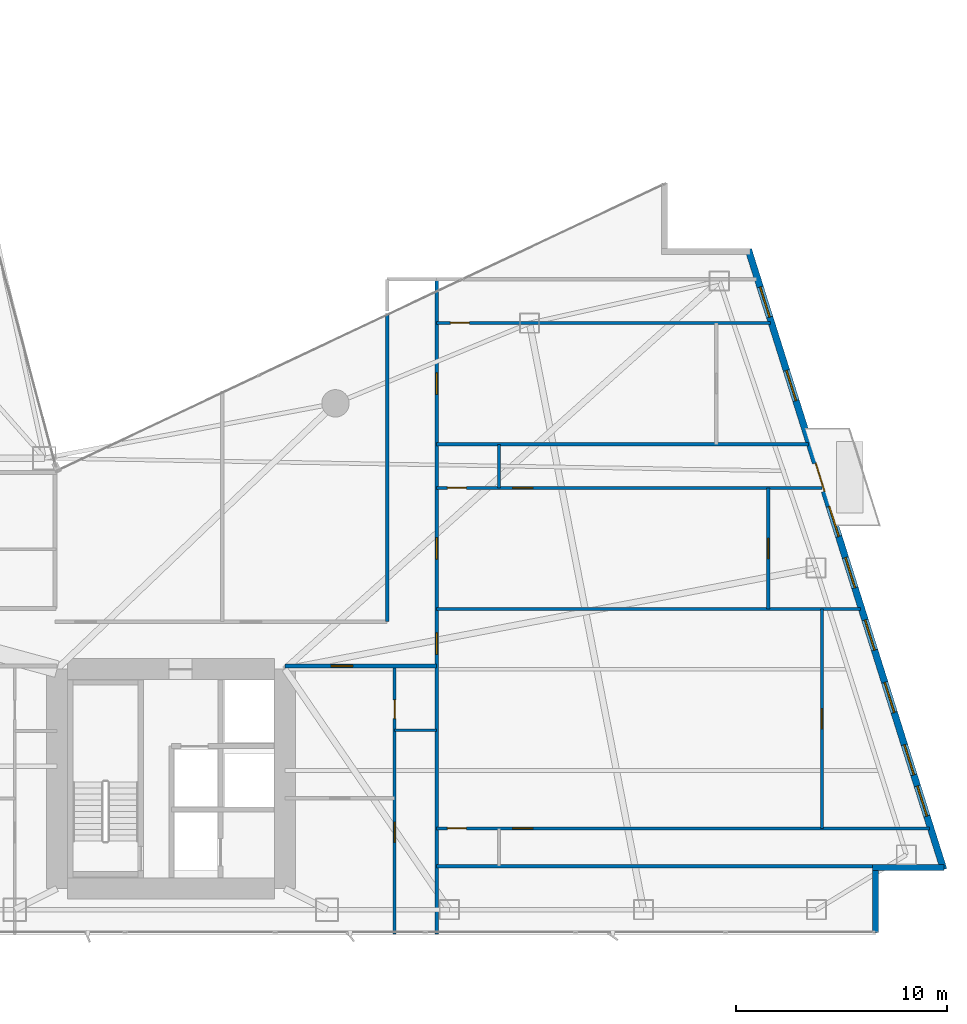
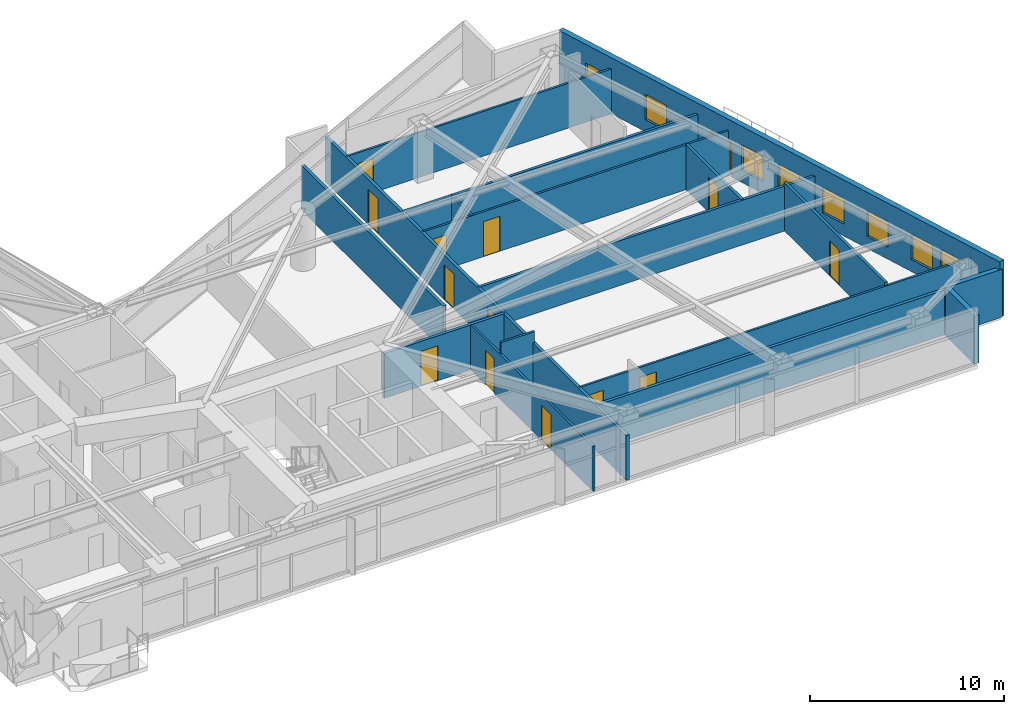
# One storey, part 23 of 28: 17 walls, 14 doors, 8 windows, 22 openings.
"""IFC4 building model written with IfcOpenShell, lengths in metres."""

import ifcopenshell
import ifcopenshell.guid

model = None  # the IFC model being written
_history = None  # IfcOwnerHistory: only IFC2X3 demands one
_inside = {}  # id of a spatial element -> (the spatial element, [elements in it])
_under = {}  # id of a project, library or spatial element -> (it, [spatial elements below it])
_declared = {}  # id of a project -> (the project, [libraries it declares])
_typed = {}  # id of a type object -> (the type object, [elements of that type])
_made_of = {}  # id of a material, layer set ... -> (it, [elements and type objects made of it])


def new_model(schema):
    """Start an empty IFC model of exactly this schema.

    Asked for "IFC4X3", IfcOpenShell would pick the latest addendum, in which some entities
    have other attributes; the version numbers below select the first issue.
    IFC2X3 requires an IfcOwnerHistory on every rooted entity: one is made here for all.
    """
    global model, _history
    if schema == "IFC4X3":
        model = ifcopenshell.file(schema_version=(4, 3, 0, 0))
    else:
        model = ifcopenshell.file(schema=schema)
    _inside.clear()
    _under.clear()
    _declared.clear()
    _typed.clear()
    _made_of.clear()
    _history = None
    if model.schema == "IFC2X3":
        org = make("IfcOrganization", Name="unknown")
        user = make(
            "IfcPersonAndOrganization",
            ThePerson=make("IfcPerson", FamilyName="unknown"),
            TheOrganization=org,
        )
        app = make(
            "IfcApplication",
            ApplicationDeveloper=org,
            Version="unknown",
            ApplicationFullName="unknown",
            ApplicationIdentifier="unknown",
        )
        _history = make(
            "IfcOwnerHistory",
            OwningUser=user,
            OwningApplication=app,
            ChangeAction="ADDED",
            CreationDate=0,
        )
    return model


def make(cls, **values):
    """One entity of the class cls with the attributes given. An attribute that is None is left unset."""
    return model.create_entity(
        cls, **{name: value for name, value in values.items() if value is not None}
    )


def rooted(cls, **values):
    """An entity with a GlobalId (a new one), such as an element, a storey or a relation."""
    return make(cls, GlobalId=ifcopenshell.guid.new(), OwnerHistory=_history, **values)


def si_unit(unit_type, name, prefix=None):
    """IfcSIUnit, for example si_unit("LENGTHUNIT", "METRE", prefix="MILLI")."""
    return make("IfcSIUnit", UnitType=unit_type, Prefix=prefix, Name=name)


def assignment(units):
    """IfcUnitAssignment: the units of a project."""
    return None if units is None else make("IfcUnitAssignment", Units=units)


def point(xyz):
    """IfcCartesianPoint."""
    return None if xyz is None else make("IfcCartesianPoint", Coordinates=xyz)


def direction(xyz):
    """IfcDirection."""
    return None if xyz is None else make("IfcDirection", DirectionRatios=xyz)


def frame(location, z_axis=None, x_axis=None):
    """IfcAxis2Placement3D, a coordinate frame: its origin and axes. An axis left out is left unset."""
    return make(
        "IfcAxis2Placement3D",
        Location=point(location),
        Axis=direction(z_axis),
        RefDirection=direction(x_axis),
    )


def frame_2d(location, x_axis=None):
    """IfcAxis2Placement2D, a coordinate frame in the plane: its origin and x axis."""
    return make(
        "IfcAxis2Placement2D", Location=point(location), RefDirection=direction(x_axis)
    )


def origin():
    """The frame at (0, 0, 0) with its axes left unset."""
    return frame((0.0, 0.0, 0.0))


def place(relative_to, where):
    """IfcLocalPlacement: puts the frame where relative to a parent placement (None: the world)."""
    return make(
        "IfcLocalPlacement", PlacementRelTo=relative_to, RelativePlacement=where
    )


def context(
    kind, dimensions, precision=None, world=None, true_north=None, identifier=None
):
    """IfcGeometricRepresentationContext, for example the 3D "Model" context."""
    return make(
        "IfcGeometricRepresentationContext",
        ContextIdentifier=identifier,
        ContextType=kind,
        CoordinateSpaceDimension=dimensions,
        Precision=precision,
        WorldCoordinateSystem=world,
        TrueNorth=true_north,
    )


def subcontext(parent, identifier, kind, view, scale=None):
    """IfcGeometricRepresentationSubContext, for example "Body" below "Model"."""
    return make(
        "IfcGeometricRepresentationSubContext",
        ContextIdentifier=identifier,
        ContextType=kind,
        ParentContext=parent,
        TargetScale=scale,
        TargetView=view,
    )


def project(units=None, contexts=None):
    """IfcProject with its units and contexts."""
    return rooted(
        "IfcProject",
        Name="project",
        RepresentationContexts=contexts,
        UnitsInContext=assignment(units),
    )


def spatial(cls, under=None, at=None, **own):
    """A site, building, storey or space (cls), placed at a placement, below another one or the project."""
    s = rooted(cls, ObjectPlacement=at, **own)
    if under is not None:
        _under.setdefault(under.id(), (under, []))[1].append(s)
    return s


def profile(cls, at=None, kind="AREA", **sizes):
    """A parametric profile (cls). Its sizes go by their IFC names, for example OverallWidth=200.0."""
    return make(cls, ProfileType=kind, Position=at, **sizes)


def rectangle(**sizes):
    """IfcRectangleProfileDef."""
    return profile("IfcRectangleProfileDef", **sizes)


def extrude(swept, where, along, depth):
    """IfcExtrudedAreaSolid: the profile swept, set in the frame where, extruded along a direction by depth."""
    return make(
        "IfcExtrudedAreaSolid",
        SweptArea=swept,
        Position=where,
        ExtrudedDirection=direction(along),
        Depth=depth,
    )


def shape(context_of_items, identifier, shape_type, items):
    """IfcShapeRepresentation: the items that make up one representation, for example the "Body"."""
    return make(
        "IfcShapeRepresentation",
        ContextOfItems=context_of_items,
        RepresentationIdentifier=identifier,
        RepresentationType=shape_type,
        Items=items,
    )


def material(Name=None, Category=None):
    """IfcMaterial."""
    return make("IfcMaterial", Name=Name, Category=Category)


def layer(
    of_material, thickness, ventilated=None, Name=None, Category=None, Priority=None
):
    """IfcMaterialLayer: one layer of a wall or slab, of a material (None: an air gap)."""
    return make(
        "IfcMaterialLayer",
        Material=of_material,
        LayerThickness=thickness,
        IsVentilated=ventilated,
        Name=Name,
        Category=Category,
        Priority=Priority,
    )


def layer_set(layers, Name=None):
    """IfcMaterialLayerSet."""
    return make("IfcMaterialLayerSet", MaterialLayers=layers, LayerSetName=Name)


def made_of(thing, what):
    """Note that an element or type object is made of a material, layer set ...; save() writes the relation."""
    if what is not None:
        _made_of.setdefault(what.id(), (what, []))[1].append(thing)
    return thing


def type_object(cls, material=None, **own):
    """A type object (cls), such as IfcWallType, which elements share."""
    return made_of(rooted(cls, **own), material)


def element(
    cls,
    number,
    at=None,
    inside=None,
    cuts=None,
    type_object=None,
    material=None,
    context=None,
    identifier="Body",
    shape_type=None,
    held_by="IfcProductDefinitionShape",
    body=None,
    shapes=None,
    **own,
):
    """One element of the class cls, such as IfcWall. Its Tag is "e" and its number.

    at: its placement. inside: the storey or other place that contains it. cuts: it is an
    opening in that element (IfcRelVoidsElement). A single representation is given by context,
    identifier, shape_type and body (its items); several are given by shapes. held_by: the class
    of the entity that holds the representations. save() writes the other relations.
    """
    e = rooted(cls, Tag="e%d" % number, ObjectPlacement=at, **own)
    if body is not None:
        shapes = [shape(context, identifier, shape_type, body)]
    if shapes is not None:
        e.Representation = make(held_by, Representations=shapes)
    if inside is not None:
        _inside.setdefault(inside.id(), (inside, []))[1].append(e)
    if cuts is not None:
        rooted(
            "IfcRelVoidsElement", RelatingBuildingElement=cuts, RelatedOpeningElement=e
        )
    if type_object is not None:
        _typed.setdefault(type_object.id(), (type_object, []))[1].append(e)
    return made_of(e, material)


def fill(opening, filler):
    """IfcRelFillsElement: the door or window that sits in an opening."""
    return rooted(
        "IfcRelFillsElement",
        RelatingOpeningElement=opening,
        RelatedBuildingElement=filler,
    )


def aggregate(whole, parts):
    """IfcRelAggregates: a whole, such as a stair, and the parts it consists of."""
    return rooted("IfcRelAggregates", RelatingObject=whole, RelatedObjects=parts)


def save(model, path):
    """Write the relations noted so far, then the file.

    IfcRelAggregates (storeys below a building ...), IfcRelContainedInSpatialStructure (elements
    in a storey), IfcRelDefinesByType, IfcRelAssociatesMaterial and IfcRelDeclares: one each for
    every whole, place, type object, material and project.
    """
    for whole, parts in _under.values():
        aggregate(whole, parts)
    for where, things in _inside.values():
        rooted(
            "IfcRelContainedInSpatialStructure",
            RelatedElements=things,
            RelatingStructure=where,
        )
    for kind, things in _typed.values():
        rooted("IfcRelDefinesByType", RelatedObjects=things, RelatingType=kind)
    for what, things in _made_of.values():
        rooted("IfcRelAssociatesMaterial", RelatedObjects=things, RelatingMaterial=what)
    for by, libraries in _declared.values():
        rooted("IfcRelDeclares", RelatingContext=by, RelatedDefinitions=libraries)
    model.write(path)


model = new_model("IFC4")

# Units and contexts
model_context = context("Model", 3, precision=1e-05, world=origin(), true_north=direction((0.0, 1.0)))
body_context = subcontext(model_context, "Body", "Model", "MODEL_VIEW")
ifc_project = project(units=[si_unit("LENGTHUNIT", "METRE"), si_unit("AREAUNIT", "SQUARE_METRE"), si_unit("VOLUMEUNIT", "CUBIC_METRE"), si_unit("PLANEANGLEUNIT", "RADIAN"), si_unit("MASSUNIT", "GRAM", prefix="KILO")], contexts=[model_context])

# Site, building, storey
site_placement = place(None, origin())
site = spatial("IfcSite", under=ifc_project, at=site_placement, CompositionType="ELEMENT")
building_placement = place(site_placement, origin())
building = spatial("IfcBuilding", under=site, at=building_placement, Name="Calvorn Quay Hotel", CompositionType="ELEMENT")
storey_placement = place(building_placement, frame((0.0, 0.0, 42.199951171875)))
storey = spatial("IfcBuildingStorey", under=building, at=storey_placement, Name="L09", CompositionType="ELEMENT", Elevation=42.199951171875)

# Wall, opening, door
ifc_material_1 = material(Name="Acoustic Fireboard Steel-Stud Partition", Category="steel")
ifc_layer_1 = layer(ifc_material_1, 0.179931640625)
ifc_layer_set_1 = layer_set([ifc_layer_1], Name="WL-CORR-FIRE-180")
wall_type_1 = type_object("IfcWallType", Name="WL-CORR-FIRE-180", PredefinedType="PARTITIONING", material=ifc_layer_set_1)
wall_1_placement = place(storey_placement, frame((32.39990234375, 15.14990234375, 0.0), z_axis=(0.0, 0.0, 1.0), x_axis=(1.0, 0.0, 0.0)))
wall_1 = element("IfcWall", 1, at=wall_1_placement, inside=storey, type_object=wall_type_1, Name="Partition Wall L09-WL-CORR-SE-S", PredefinedType="PARTITIONING", context=body_context, shape_type="SweptSolid", body=[
    extrude(rectangle(XDim=7.2001953125, YDim=0.179931640625, at=frame_2d((3.60009765625, 0.0))), origin(), (0.0, 0.0, 1.0), 2.820068359375),
])
opening_1_placement = place(wall_1_placement, frame((2.18994140625, 0.0, 0.0)))
opening_1 = element("IfcOpeningElement", 2, at=opening_1_placement, cuts=wall_1, Name="Opening D-L09-U06", PredefinedType="OPENING", context=body_context, shape_type="SweptSolid", body=[
    extrude(rectangle(XDim=1.02001953125, YDim=2.199951171875, at=frame_2d((0.510009765625, 1.10009765625))), frame((0.0, 0.099853515625, 0.0), z_axis=(0.0, -1.0, 0.0), x_axis=(1.0, 0.0, 0.0)), (0.0, 0.0, 1.0), 0.199951171875),
])
ifc_material_2 = material(Name="Solid-Core Walnut Veneer Hotel Fire Door")
door_type_1 = type_object("IfcDoorType", Name="DR-GUEST-ENTRY-1020", OperationType="NOTDEFINED", PredefinedType="DOOR", material=ifc_material_2)
door_1_placement = place(opening_1_placement, origin())
door_1 = element("IfcDoor", 3, at=door_1_placement, inside=storey, type_object=door_type_1, Name="South-East Unit Door U06 (L09)", OperationType="SINGLE_SWING_LEFT", OverallHeight=2.199951171875, OverallWidth=1.02001953125, PredefinedType="DOOR", context=body_context, shape_type="SweptSolid", body=[
    extrude(rectangle(XDim=1.02001953125, YDim=2.199951171875, at=frame_2d((0.510009765625, 1.10009765625))), frame((0.0, 0.02490234375, 0.0), z_axis=(0.0, -1.0, 0.0), x_axis=(1.0, 0.0, 0.0)), (0.0, 0.0, 1.0), 0.050048828125),
])
fill(opening_1, door_1)

# Walls
wall_2_placement = place(storey_placement, frame((37.25, 17.25, 0.0), z_axis=(0.0, 0.0, 1.0), x_axis=(0.0, 1.0, 0.0)))
element("IfcWall", 4, at=wall_2_placement, inside=storey, type_object=wall_type_1, Name="Partition Wall L09-WL-NE-END-E", PredefinedType="PARTITIONING", context=body_context, shape_type="SweptSolid", body=[
    extrude(rectangle(XDim=14.6201171875, YDim=0.179931640625, at=frame_2d((7.31005859375, 0.0))), origin(), (0.0, 0.0, 1.0), 2.820068359375),
])
wall_3_placement = place(storey_placement, frame((39.60009765625, 5.659912109375, 0.0), z_axis=(0.0, 0.0, 1.0), x_axis=(1.0, 0.0, 0.0)))
element("IfcWall", 5, at=wall_3_placement, inside=storey, type_object=wall_type_1, Name="Partition Wall L09-WL-TIP-S", PredefinedType="PARTITIONING", context=body_context, shape_type="SweptSolid", body=[
    extrude(rectangle(XDim=20.7998046875, YDim=0.179931640625, at=frame_2d((10.39990234375, 0.0))), origin(), (0.0, 0.0, 1.0), 2.820068359375),
])

# Wall, openings, doors
wall_4_placement = place(storey_placement, frame((39.60009765625, 2.43994140625, 0.0), z_axis=(0.0, 0.0, 1.0), x_axis=(0.0, 1.0, 0.0)))
wall_4 = element("IfcWall", 6, at=wall_4_placement, inside=storey, type_object=wall_type_1, Name="Partition Wall L09-WL-CORR-TIP-E", PredefinedType="PARTITIONING", context=body_context, shape_type="SweptSolid", body=[
    extrude(rectangle(XDim=31.0400390625, YDim=0.179931640625, at=frame_2d((15.52001953125, 0.0))), origin(), (0.0, 0.0, 1.0), 2.820068359375),
])
opening_2_placement = place(wall_4_placement, frame((13.260009765625, 0.0, 0.0)))
opening_2 = element("IfcOpeningElement", 7, at=opening_2_placement, cuts=wall_4, Name="Opening D-L09-U07", PredefinedType="OPENING", context=body_context, shape_type="SweptSolid", body=[
    extrude(rectangle(XDim=1.02001953125, YDim=2.199951171875, at=frame_2d((0.510009765625, 1.10009765625))), frame((0.0, 0.099853515625, 0.0), z_axis=(0.0, -1.0, 0.0), x_axis=(1.0, 0.0, 0.0)), (0.0, 0.0, 1.0), 0.199951171875),
])
opening_3_placement = place(wall_4_placement, frame((17.77001953125, 0.0, 0.0)))
opening_3 = element("IfcOpeningElement", 8, at=opening_3_placement, cuts=wall_4, Name="Opening D-L09-U08", PredefinedType="OPENING", context=body_context, shape_type="SweptSolid", body=[
    extrude(rectangle(XDim=1.02001953125, YDim=2.199951171875, at=frame_2d((0.510009765625, 1.10009765625))), frame((0.0, 0.099853515625, 0.0), z_axis=(0.0, -1.0, 0.0), x_axis=(1.0, 0.0, 0.0)), (0.0, 0.0, 1.0), 0.199951171875),
])
opening_4_placement = place(wall_4_placement, frame((25.580078125, 0.0, 0.0)))
opening_4 = element("IfcOpeningElement", 9, at=opening_4_placement, cuts=wall_4, Name="Opening D-L09-U09", PredefinedType="OPENING", context=body_context, shape_type="SweptSolid", body=[
    extrude(rectangle(XDim=1.02001953125, YDim=2.199951171875, at=frame_2d((0.510009765625, 1.10009765625))), frame((0.0, 0.099853515625, 0.0), z_axis=(0.0, -1.0, 0.0), x_axis=(1.0, 0.0, 0.0)), (0.0, 0.0, 1.0), 0.199951171875),
])
door_2_placement = place(opening_2_placement, origin())
door_2 = element("IfcDoor", 10, at=door_2_placement, inside=storey, type_object=door_type_1, Name="Terrace Suite Door U07 (L09)", OperationType="SINGLE_SWING_LEFT", OverallHeight=2.199951171875, OverallWidth=1.02001953125, PredefinedType="DOOR", context=body_context, shape_type="SweptSolid", body=[
    extrude(rectangle(XDim=1.02001953125, YDim=2.199951171875, at=frame_2d((0.510009765625, 1.10009765625))), frame((0.0, 0.02490234375, 0.0), z_axis=(0.0, -1.0, 0.0), x_axis=(1.0, 0.0, 0.0)), (0.0, 0.0, 1.0), 0.050048828125),
])
fill(opening_2, door_2)
door_3_placement = place(opening_3_placement, origin())
door_3 = element("IfcDoor", 11, at=door_3_placement, inside=storey, type_object=door_type_1, Name="Mid-East Suite Door U08 (L09)", OperationType="SINGLE_SWING_RIGHT", OverallHeight=2.199951171875, OverallWidth=1.02001953125, PredefinedType="DOOR", context=body_context, shape_type="SweptSolid", body=[
    extrude(rectangle(XDim=1.02001953125, YDim=2.199951171875, at=frame_2d((0.510009765625, 1.10009765625))), frame((0.0, 0.02490234375, 0.0), z_axis=(0.0, -1.0, 0.0), x_axis=(1.0, 0.0, 0.0)), (0.0, 0.0, 1.0), 0.050048828125),
])
fill(opening_3, door_3)
door_4_placement = place(opening_4_placement, origin())
door_4 = element("IfcDoor", 12, at=door_4_placement, inside=storey, type_object=door_type_1, Name="Horizon Suite Door U09 (L09)", OperationType="SINGLE_SWING_LEFT", OverallHeight=2.199951171875, OverallWidth=1.02001953125, PredefinedType="DOOR", context=body_context, shape_type="SweptSolid", body=[
    extrude(rectangle(XDim=1.02001953125, YDim=2.199951171875, at=frame_2d((0.510009765625, 1.10009765625))), frame((0.0, 0.02490234375, 0.0), z_axis=(0.0, -1.0, 0.0), x_axis=(1.0, 0.0, 0.0)), (0.0, 0.0, 1.0), 0.050048828125),
])
fill(opening_4, door_4)

# Wall
ifc_material_3 = material(Name="Moisture-Resistant Tile-Backed Partition")
ifc_layer_2 = layer(ifc_material_3, 0.125)
ifc_layer_set_2 = layer_set([ifc_layer_2], Name="WL-ENSUITE-125")
wall_type_2 = type_object("IfcWallType", Name="WL-ENSUITE-125", PredefinedType="PARTITIONING", material=ifc_layer_set_2)
wall_5_placement = place(storey_placement, frame((37.60009765625, 12.10009765625, 0.0), z_axis=(0.0, 0.0, 1.0), x_axis=(1.0, 0.0, 0.0)))
element("IfcWall", 13, at=wall_5_placement, inside=storey, type_object=wall_type_2, Name="Partition Wall L09-WL-U06-BDV", PredefinedType="PARTITIONING", context=body_context, shape_type="SweptSolid", body=[
    extrude(rectangle(XDim=2.0, YDim=0.125, at=frame_2d((1.0, 0.0))), origin(), (0.0, 0.0, 1.0), 3.52001953125),
])

# Wall, openings, doors
wall_6_placement = place(storey_placement, frame((37.60009765625, 2.43994140625, 0.0), z_axis=(0.0, 0.0, 1.0), x_axis=(0.0, 1.0, 0.0)))
wall_6 = element("IfcWall", 14, at=wall_6_placement, inside=storey, type_object=wall_type_2, Name="Partition Wall L09-WL-U06-BV", PredefinedType="PARTITIONING", context=body_context, shape_type="SweptSolid", body=[
    extrude(rectangle(XDim=12.7099609375, YDim=0.125, at=frame_2d((6.35498046875, 0.0))), origin(), (0.0, 0.0, 1.0), 2.820068359375),
])
opening_5_placement = place(wall_6_placement, frame((4.35009765625, 0.0, 0.0)))
opening_5 = element("IfcOpeningElement", 15, at=opening_5_placement, cuts=wall_6, Name="Opening D-L09-S06", PredefinedType="OPENING", context=body_context, shape_type="SweptSolid", body=[
    extrude(rectangle(XDim=0.9599609375, YDim=2.199951171875, at=frame_2d((0.47998046875, 1.10009765625))), frame((0.0, 0.072509765625, 0.0), z_axis=(0.0, -1.0, 0.0), x_axis=(1.0, 0.0, 0.0)), (0.0, 0.0, 1.0), 0.14501953125),
])
opening_6_placement = place(wall_6_placement, frame((10.2099609375, 0.0, 0.0)))
opening_6 = element("IfcOpeningElement", 16, at=opening_6_placement, cuts=wall_6, Name="Opening D-L09-E06", PredefinedType="OPENING", context=body_context, shape_type="SweptSolid", body=[
    extrude(rectangle(XDim=0.89990234375, YDim=2.14990234375, at=frame_2d((0.449951171875, 1.074951171875))), frame((0.0, 0.072509765625, 0.0), z_axis=(0.0, -1.0, 0.0), x_axis=(1.0, 0.0, 0.0)), (0.0, 0.0, 1.0), 0.14501953125),
])
ifc_material_4 = material(Name="Moisture-Sealed Timber En-Suite Door", Category="wood")
door_type_2 = type_object("IfcDoorType", Name="DR-ENSUITE-900", OperationType="NOTDEFINED", PredefinedType="DOOR", material=ifc_material_4)
door_5_placement = place(opening_6_placement, origin())
door_5 = element("IfcDoor", 17, at=door_5_placement, inside=storey, type_object=door_type_2, Name="En-Suite Door 06", OperationType="SINGLE_SWING_RIGHT", OverallHeight=2.14990234375, OverallWidth=0.89990234375, PredefinedType="DOOR", context=body_context, shape_type="SweptSolid", body=[
    extrude(rectangle(XDim=0.89990234375, YDim=2.14990234375, at=frame_2d((0.449951171875, 1.074951171875))), frame((0.0, 0.02490234375, 0.0), z_axis=(0.0, -1.0, 0.0), x_axis=(1.0, 0.0, 0.0)), (0.0, 0.0, 1.0), 0.050048828125),
])
fill(opening_6, door_5)
ifc_material_5 = material(Name="Solid Timber Internal Suite Door", Category="wood")
door_type_3 = type_object("IfcDoorType", Name="DR-SUITE-INT-960", OperationType="NOTDEFINED", PredefinedType="DOOR", material=ifc_material_5)
door_6_placement = place(opening_5_placement, origin())
door_6 = element("IfcDoor", 18, at=door_6_placement, inside=storey, type_object=door_type_3, Name="Walk-In Wardrobe Door 06", OperationType="SINGLE_SWING_LEFT", OverallHeight=2.199951171875, OverallWidth=0.9599609375, PredefinedType="DOOR", context=body_context, shape_type="SweptSolid", body=[
    extrude(rectangle(XDim=0.9599609375, YDim=2.199951171875, at=frame_2d((0.47998046875, 1.10009765625))), frame((0.0, 0.02490234375, 0.0), z_axis=(0.0, -1.0, 0.0), x_axis=(1.0, 0.0, 0.0)), (0.0, 0.0, 1.0), 0.050048828125),
])
fill(opening_5, door_6)

wall_7_placement = place(storey_placement, frame((39.60009765625, 7.449951171875, 0.0), z_axis=(0.0, 0.0, 1.0), x_axis=(1.0, 0.0, 0.0)))
wall_7 = element("IfcWall", 19, at=wall_7_placement, inside=storey, type_object=wall_type_2, Name="Partition Wall L09-WL-U07-BH", PredefinedType="PARTITIONING", context=body_context, shape_type="SweptSolid", body=[
    extrude(rectangle(XDim=23.35986328125, YDim=0.125, at=frame_2d((11.679931640625, 0.0))), origin(), (0.0, 0.0, 1.0), 2.820068359375),
])
opening_7_placement = place(wall_7_placement, frame((0.5, 0.0, 0.0)))
opening_7 = element("IfcOpeningElement", 20, at=opening_7_placement, cuts=wall_7, Name="Opening D-L09-E07", PredefinedType="OPENING", context=body_context, shape_type="SweptSolid", body=[
    extrude(rectangle(XDim=0.89990234375, YDim=2.14990234375, at=frame_2d((0.449951171875, 1.074951171875))), frame((0.0, 0.072509765625, 0.0), z_axis=(0.0, -1.0, 0.0), x_axis=(1.0, 0.0, 0.0)), (0.0, 0.0, 1.0), 0.14501953125),
])
opening_8_placement = place(wall_7_placement, frame((3.60009765625, 0.0, 0.0)))
opening_8 = element("IfcOpeningElement", 21, at=opening_8_placement, cuts=wall_7, Name="Opening D-L09-S07", PredefinedType="OPENING", context=body_context, shape_type="SweptSolid", body=[
    extrude(rectangle(XDim=0.9599609375, YDim=2.199951171875, at=frame_2d((0.47998046875, 1.10009765625))), frame((0.0, 0.072509765625, 0.0), z_axis=(0.0, -1.0, 0.0), x_axis=(1.0, 0.0, 0.0)), (0.0, 0.0, 1.0), 0.14501953125),
])
door_7_placement = place(opening_7_placement, origin())
door_7 = element("IfcDoor", 22, at=door_7_placement, inside=storey, type_object=door_type_2, Name="En-Suite Door 07", OperationType="SINGLE_SWING_LEFT", OverallHeight=2.14990234375, OverallWidth=0.89990234375, PredefinedType="DOOR", context=body_context, shape_type="SweptSolid", body=[
    extrude(rectangle(XDim=0.89990234375, YDim=2.14990234375, at=frame_2d((0.449951171875, 1.074951171875))), frame((0.0, 0.02490234375, 0.0), z_axis=(0.0, -1.0, 0.0), x_axis=(1.0, 0.0, 0.0)), (0.0, 0.0, 1.0), 0.050048828125),
])
fill(opening_7, door_7)
door_8_placement = place(opening_8_placement, origin())
door_8 = element("IfcDoor", 23, at=door_8_placement, inside=storey, type_object=door_type_3, Name="Walk-In Wardrobe Door 07", OperationType="SINGLE_SWING_RIGHT", OverallHeight=2.199951171875, OverallWidth=0.9599609375, PredefinedType="DOOR", context=body_context, shape_type="SweptSolid", body=[
    extrude(rectangle(XDim=0.9599609375, YDim=2.199951171875, at=frame_2d((0.47998046875, 1.10009765625))), frame((0.0, 0.02490234375, 0.0), z_axis=(0.0, -1.0, 0.0), x_axis=(1.0, 0.0, 0.0)), (0.0, 0.0, 1.0), 0.050048828125),
])
fill(opening_8, door_8)

# Wall
wall_8_placement = place(storey_placement, frame((42.550048828125, 23.590087890625, 0.0), z_axis=(0.0, 0.0, 1.0), x_axis=(0.0, 1.0, 0.0)))
element("IfcWall", 24, at=wall_8_placement, inside=storey, type_object=wall_type_2, Name="Partition Wall L09-WL-U08-BDV", PredefinedType="PARTITIONING", context=body_context, shape_type="SweptSolid", body=[
    extrude(rectangle(XDim=2.06982421875, YDim=0.125, at=frame_2d((1.034912109375, 0.0))), origin(), (0.0, 0.0, 1.0), 2.820068359375),
])

# Wall, openings, doors
wall_9_placement = place(storey_placement, frame((39.60009765625, 23.590087890625, 0.0), z_axis=(0.0, 0.0, 1.0), x_axis=(1.0, 0.0, 0.0)))
wall_9 = element("IfcWall", 25, at=wall_9_placement, inside=storey, type_object=wall_type_2, Name="Partition Wall L09-WL-U08-BH", PredefinedType="PARTITIONING", context=body_context, shape_type="SweptSolid", body=[
    extrude(rectangle(XDim=18.27001953125, YDim=0.125, at=frame_2d((9.135009765625, 0.0))), origin(), (0.0, 0.0, 1.0), 2.820068359375),
])
opening_9_placement = place(wall_9_placement, frame((0.5, 0.0, 0.0)))
opening_9 = element("IfcOpeningElement", 26, at=opening_9_placement, cuts=wall_9, Name="Opening D-L09-E08", PredefinedType="OPENING", context=body_context, shape_type="SweptSolid", body=[
    extrude(rectangle(XDim=0.89990234375, YDim=2.14990234375, at=frame_2d((0.449951171875, 1.074951171875))), frame((0.0, 0.072509765625, 0.0), z_axis=(0.0, -1.0, 0.0), x_axis=(1.0, 0.0, 0.0)), (0.0, 0.0, 1.0), 0.14501953125),
])
opening_10_placement = place(wall_9_placement, frame((3.60009765625, 0.0, 0.0)))
opening_10 = element("IfcOpeningElement", 27, at=opening_10_placement, cuts=wall_9, Name="Opening D-L09-S08", PredefinedType="OPENING", context=body_context, shape_type="SweptSolid", body=[
    extrude(rectangle(XDim=0.9599609375, YDim=2.199951171875, at=frame_2d((0.47998046875, 1.10009765625))), frame((0.0, 0.072509765625, 0.0), z_axis=(0.0, -1.0, 0.0), x_axis=(1.0, 0.0, 0.0)), (0.0, 0.0, 1.0), 0.14501953125),
])
door_9_placement = place(opening_9_placement, origin())
door_9 = element("IfcDoor", 28, at=door_9_placement, inside=storey, type_object=door_type_2, Name="En-Suite Door 08", OperationType="SINGLE_SWING_LEFT", OverallHeight=2.14990234375, OverallWidth=0.89990234375, PredefinedType="DOOR", context=body_context, shape_type="SweptSolid", body=[
    extrude(rectangle(XDim=0.89990234375, YDim=2.14990234375, at=frame_2d((0.449951171875, 1.074951171875))), frame((0.0, 0.02490234375, 0.0), z_axis=(0.0, -1.0, 0.0), x_axis=(1.0, 0.0, 0.0)), (0.0, 0.0, 1.0), 0.050048828125),
])
fill(opening_9, door_9)
door_10_placement = place(opening_10_placement, origin())
door_10 = element("IfcDoor", 29, at=door_10_placement, inside=storey, type_object=door_type_3, Name="Walk-In Wardrobe Door 08", OperationType="SINGLE_SWING_RIGHT", OverallHeight=2.199951171875, OverallWidth=0.9599609375, PredefinedType="DOOR", context=body_context, shape_type="SweptSolid", body=[
    extrude(rectangle(XDim=0.9599609375, YDim=2.199951171875, at=frame_2d((0.47998046875, 1.10009765625))), frame((0.0, 0.02490234375, 0.0), z_axis=(0.0, -1.0, 0.0), x_axis=(1.0, 0.0, 0.0)), (0.0, 0.0, 1.0), 0.050048828125),
])
fill(opening_10, door_10)

# Wall, opening, door
wall_10_placement = place(storey_placement, frame((39.60009765625, 31.409912109375, 0.0), z_axis=(0.0, 0.0, 1.0), x_axis=(1.0, 0.0, 0.0)))
wall_10 = element("IfcWall", 30, at=wall_10_placement, inside=storey, type_object=wall_type_2, Name="Partition Wall L09-WL-U09-BH", PredefinedType="PARTITIONING", context=body_context, shape_type="SweptSolid", body=[
    extrude(rectangle(XDim=15.809814453125, YDim=0.125, at=frame_2d((7.90478515625, 0.0))), origin(), (0.0, 0.0, 1.0), 2.820068359375),
])
opening_11_placement = place(wall_10_placement, frame((0.64990234375, 0.0, 0.0)))
opening_11 = element("IfcOpeningElement", 31, at=opening_11_placement, cuts=wall_10, Name="Opening D-L09-E09", PredefinedType="OPENING", context=body_context, shape_type="SweptSolid", body=[
    extrude(rectangle(XDim=0.89990234375, YDim=2.14990234375, at=frame_2d((0.449951171875, 1.074951171875))), frame((0.0, 0.072509765625, 0.0), z_axis=(0.0, -1.0, 0.0), x_axis=(1.0, 0.0, 0.0)), (0.0, 0.0, 1.0), 0.14501953125),
])
door_11_placement = place(opening_11_placement, origin())
door_11 = element("IfcDoor", 32, at=door_11_placement, inside=storey, type_object=door_type_2, Name="En-Suite Door 09", OperationType="SINGLE_SWING_LEFT", OverallHeight=2.14990234375, OverallWidth=0.89990234375, PredefinedType="DOOR", context=body_context, shape_type="SweptSolid", body=[
    extrude(rectangle(XDim=0.89990234375, YDim=2.14990234375, at=frame_2d((0.449951171875, 1.074951171875))), frame((0.0, 0.02490234375, 0.0), z_axis=(0.0, -1.0, 0.0), x_axis=(1.0, 0.0, 0.0)), (0.0, 0.0, 1.0), 0.050048828125),
])
fill(opening_11, door_11)

# Walls
ifc_material_6 = material(Name="Concrete C40", Category="concrete")
ifc_layer_3 = layer(ifc_material_6, 0.320068359375)
ifc_layer_set_3 = layer_set([ifc_layer_3], Name="WL-EXT-SPANDREL-320")
wall_type_3 = type_object("IfcWallType", Name="WL-EXT-SPANDREL-320", PredefinedType="SOLIDWALL", material=ifc_layer_set_3)
wall_11_placement = place(storey_placement, frame((60.39990234375, 2.52001953125, 0.0), z_axis=(0.0, 0.0, 1.0), x_axis=(0.0, 1.0, 0.0)))
element("IfcWall", 33, at=wall_11_placement, inside=storey, type_object=wall_type_3, Name="Notched Corner Spandrel L09-SE1", PredefinedType="SOLIDWALL", context=body_context, shape_type="SweptSolid", body=[
    extrude(rectangle(XDim=2.93994140625, YDim=0.280029296875, at=frame_2d((1.469970703125, 0.0))), origin(), (0.0, 0.0, 1.0), 3.02001953125),
])
wall_12_placement = place(storey_placement, frame((60.260009765625, 5.60009765625, 0.0), z_axis=(0.0, 0.0, 1.0), x_axis=(1.0, 0.0, 0.0)))
element("IfcWall", 34, at=wall_12_placement, inside=storey, type_object=wall_type_3, Name="Notched Corner Spandrel L09-SE2", PredefinedType="SOLIDWALL", context=body_context, shape_type="SweptSolid", body=[
    extrude(rectangle(XDim=3.3798828125, YDim=0.280029296875, at=frame_2d((1.68994140625, 0.0))), origin(), (0.0, 0.0, 1.0), 3.02001953125),
])

# Wall, openings, door, windows
wall_13_placement = place(storey_placement, frame((63.6298828125, 5.5048828125, 0.0), z_axis=(0.0, 0.0, 1.0), x_axis=(-0.300501856448, 0.953781229775, 0.0)))
wall_13 = element("IfcWall", 35, at=wall_13_placement, inside=storey, type_object=wall_type_3, Name="East Stepped Waterfront Exterior Wall (L09)", PredefinedType="SOLIDWALL", context=body_context, shape_type="SweptSolid", body=[
    extrude(rectangle(XDim=30.814453125, YDim=0.320068359375, at=frame_2d((15.4072265625, 0.0))), origin(), (0.0, 0.0, 1.0), 3.52001953125),
])
opening_12_placement = place(wall_13_placement, frame((18.7958984375, 0.0, 0.0)))
opening_12 = element("IfcOpeningElement", 36, at=opening_12_placement, cuts=wall_13, Name="Opening DB-L09-1", PredefinedType="OPENING", context=body_context, shape_type="SweptSolid", body=[
    extrude(rectangle(XDim=1.39990234375, YDim=2.25, at=frame_2d((0.699951171875, 1.125))), frame((0.0, 0.169921875, 0.0), z_axis=(0.0, -1.0, 0.0), x_axis=(1.0, 0.0, 0.0)), (0.0, 0.0, 1.0), 0.340087890625),
])
opening_13_placement = place(wall_13_placement, frame((2.64990234375, 0.0, 0.75)))
opening_13 = element("IfcOpeningElement", 37, at=opening_13_placement, cuts=wall_13, Name="Opening WG-L09-E1", PredefinedType="OPENING", context=body_context, shape_type="SweptSolid", body=[
    extrude(rectangle(XDim=1.5, YDim=1.60009765625, at=frame_2d((0.75, 0.800048828125))), frame((0.0, 0.169921875, 0.0), z_axis=(0.0, -1.0, 0.0), x_axis=(1.0, 0.0, 0.0)), (0.0, 0.0, 1.0), 0.340087890625),
])
opening_14_placement = place(wall_13_placement, frame((4.699951171875, 0.0, 0.75)))
opening_14 = element("IfcOpeningElement", 38, at=opening_14_placement, cuts=wall_13, Name="Opening WG-L09-E2", PredefinedType="OPENING", context=body_context, shape_type="SweptSolid", body=[
    extrude(rectangle(XDim=1.5, YDim=1.60009765625, at=frame_2d((0.75, 0.800048828125))), frame((0.0, 0.169921875, 0.0), z_axis=(0.0, -1.0, 0.0), x_axis=(1.0, 0.0, 0.0)), (0.0, 0.0, 1.0), 0.340087890625),
])
opening_15_placement = place(wall_13_placement, frame((7.800048828125, 0.0, 0.75)))
opening_15 = element("IfcOpeningElement", 39, at=opening_15_placement, cuts=wall_13, Name="Opening WG-L09-E3", PredefinedType="OPENING", context=body_context, shape_type="SweptSolid", body=[
    extrude(rectangle(XDim=1.5, YDim=1.60009765625, at=frame_2d((0.75, 0.800048828125))), frame((0.0, 0.169921875, 0.0), z_axis=(0.0, -1.0, 0.0), x_axis=(1.0, 0.0, 0.0)), (0.0, 0.0, 1.0), 0.340087890625),
])
opening_16_placement = place(wall_13_placement, frame((10.89990234375, 0.0, 0.75)))
opening_16 = element("IfcOpeningElement", 40, at=opening_16_placement, cuts=wall_13, Name="Opening WG-L09-E4", PredefinedType="OPENING", context=body_context, shape_type="SweptSolid", body=[
    extrude(rectangle(XDim=1.5, YDim=1.60009765625, at=frame_2d((0.75, 0.800048828125))), frame((0.0, 0.169921875, 0.0), z_axis=(0.0, -1.0, 0.0), x_axis=(1.0, 0.0, 0.0)), (0.0, 0.0, 1.0), 0.340087890625),
])
opening_17_placement = place(wall_13_placement, frame((14.0, 0.0, 0.75)))
opening_17 = element("IfcOpeningElement", 41, at=opening_17_placement, cuts=wall_13, Name="Opening WG-L09-E5", PredefinedType="OPENING", context=body_context, shape_type="SweptSolid", body=[
    extrude(rectangle(XDim=1.5, YDim=1.60009765625, at=frame_2d((0.75, 0.800048828125))), frame((0.0, 0.169921875, 0.0), z_axis=(0.0, -1.0, 0.0), x_axis=(1.0, 0.0, 0.0)), (0.0, 0.0, 1.0), 0.340087890625),
])
opening_18_placement = place(wall_13_placement, frame((16.550048828125, 0.0, 0.75)))
opening_18 = element("IfcOpeningElement", 42, at=opening_18_placement, cuts=wall_13, Name="Opening WG-L09-E6", PredefinedType="OPENING", context=body_context, shape_type="SweptSolid", body=[
    extrude(rectangle(XDim=1.5, YDim=1.60009765625, at=frame_2d((0.75, 0.800048828125))), frame((0.0, 0.169921875, 0.0), z_axis=(0.0, -1.0, 0.0), x_axis=(1.0, 0.0, 0.0)), (0.0, 0.0, 1.0), 0.340087890625),
])
opening_19_placement = place(wall_13_placement, frame((23.300048828125, 0.0, 0.75)))
opening_19 = element("IfcOpeningElement", 43, at=opening_19_placement, cuts=wall_13, Name="Opening WG-L09-E7", PredefinedType="OPENING", context=body_context, shape_type="SweptSolid", body=[
    extrude(rectangle(XDim=1.5, YDim=1.60009765625, at=frame_2d((0.75, 0.800048828125))), frame((0.0, 0.169921875, 0.0), z_axis=(0.0, -1.0, 0.0), x_axis=(1.0, 0.0, 0.0)), (0.0, 0.0, 1.0), 0.340087890625),
])
opening_20_placement = place(wall_13_placement, frame((27.449951171875, 0.0, 0.75)))
opening_20 = element("IfcOpeningElement", 44, at=opening_20_placement, cuts=wall_13, Name="Opening WG-L09-E8", PredefinedType="OPENING", context=body_context, shape_type="SweptSolid", body=[
    extrude(rectangle(XDim=1.5, YDim=1.60009765625, at=frame_2d((0.75, 0.800048828125))), frame((0.0, 0.169921875, 0.0), z_axis=(0.0, -1.0, 0.0), x_axis=(1.0, 0.0, 0.0)), (0.0, 0.0, 1.0), 0.340087890625),
])
ifc_material_7 = material(Name="Typhoon-Rated Low-E Aluminium Terrace Door", Category="aluminium")
door_type_4 = type_object("IfcDoorType", Name="DR-BALCONY-GLZ-1400", OperationType="NOTDEFINED", PredefinedType="DOOR", material=ifc_material_7)
door_12_placement = place(opening_12_placement, origin())
door_12 = element("IfcDoor", 45, at=door_12_placement, inside=storey, type_object=door_type_4, Name="Tree Balcony Terrace Door L09-BALC-E", OperationType="SINGLE_SWING_LEFT", OverallHeight=2.25, OverallWidth=1.39990234375, PredefinedType="DOOR", context=body_context, shape_type="SweptSolid", body=[
    extrude(rectangle(XDim=1.39990234375, YDim=2.25, at=frame_2d((0.699951171875, 1.125))), frame((0.0, 0.02490234375, 0.0), z_axis=(0.0, -1.0, 0.0), x_axis=(1.0, 0.0, 0.0)), (0.0, 0.0, 1.0), 0.050048828125),
])
fill(opening_12, door_12)
ifc_material_8 = material(Name="Self-Closing Class B Fire Window")
window_type = type_object("IfcWindowType", Name="WIN-REFUGE-1500x1600", PartitioningType="SINGLE_PANEL", PredefinedType="WINDOW", material=ifc_material_8)
window_1_placement = place(opening_13_placement, origin())
window_1 = element("IfcWindow", 46, at=window_1_placement, inside=storey, type_object=window_type, Name="East Facade Window L09-E1", OverallHeight=1.60009765625, OverallWidth=1.5, PartitioningType="SINGLE_PANEL", PredefinedType="WINDOW", context=body_context, shape_type="SweptSolid", body=[
    extrude(rectangle(XDim=1.5, YDim=1.60009765625, at=frame_2d((0.75, 0.800048828125))), frame((0.0, 0.030029296875, 0.0), z_axis=(0.0, -1.0, 0.0), x_axis=(1.0, 0.0, 0.0)), (0.0, 0.0, 1.0), 0.06005859375),
])
fill(opening_13, window_1)
window_2_placement = place(opening_14_placement, origin())
window_2 = element("IfcWindow", 47, at=window_2_placement, inside=storey, type_object=window_type, Name="East Facade Window L09-E2", OverallHeight=1.60009765625, OverallWidth=1.5, PartitioningType="SINGLE_PANEL", PredefinedType="WINDOW", context=body_context, shape_type="SweptSolid", body=[
    extrude(rectangle(XDim=1.5, YDim=1.60009765625, at=frame_2d((0.75, 0.800048828125))), frame((0.0, 0.030029296875, 0.0), z_axis=(0.0, -1.0, 0.0), x_axis=(1.0, 0.0, 0.0)), (0.0, 0.0, 1.0), 0.06005859375),
])
fill(opening_14, window_2)
window_3_placement = place(opening_15_placement, origin())
window_3 = element("IfcWindow", 48, at=window_3_placement, inside=storey, type_object=window_type, Name="East Facade Window L09-E3", OverallHeight=1.60009765625, OverallWidth=1.5, PartitioningType="SINGLE_PANEL", PredefinedType="WINDOW", context=body_context, shape_type="SweptSolid", body=[
    extrude(rectangle(XDim=1.5, YDim=1.60009765625, at=frame_2d((0.75, 0.800048828125))), frame((0.0, 0.030029296875, 0.0), z_axis=(0.0, -1.0, 0.0), x_axis=(1.0, 0.0, 0.0)), (0.0, 0.0, 1.0), 0.06005859375),
])
fill(opening_15, window_3)
window_4_placement = place(opening_16_placement, origin())
window_4 = element("IfcWindow", 49, at=window_4_placement, inside=storey, type_object=window_type, Name="East Facade Window L09-E4", OverallHeight=1.60009765625, OverallWidth=1.5, PartitioningType="SINGLE_PANEL", PredefinedType="WINDOW", context=body_context, shape_type="SweptSolid", body=[
    extrude(rectangle(XDim=1.5, YDim=1.60009765625, at=frame_2d((0.75, 0.800048828125))), frame((0.0, 0.030029296875, 0.0), z_axis=(0.0, -1.0, 0.0), x_axis=(1.0, 0.0, 0.0)), (0.0, 0.0, 1.0), 0.06005859375),
])
fill(opening_16, window_4)
window_5_placement = place(opening_17_placement, origin())
window_5 = element("IfcWindow", 50, at=window_5_placement, inside=storey, type_object=window_type, Name="East Facade Window L09-E5", OverallHeight=1.60009765625, OverallWidth=1.5, PartitioningType="SINGLE_PANEL", PredefinedType="WINDOW", context=body_context, shape_type="SweptSolid", body=[
    extrude(rectangle(XDim=1.5, YDim=1.60009765625, at=frame_2d((0.75, 0.800048828125))), frame((0.0, 0.030029296875, 0.0), z_axis=(0.0, -1.0, 0.0), x_axis=(1.0, 0.0, 0.0)), (0.0, 0.0, 1.0), 0.06005859375),
])
fill(opening_17, window_5)
window_6_placement = place(opening_18_placement, origin())
window_6 = element("IfcWindow", 51, at=window_6_placement, inside=storey, type_object=window_type, Name="East Facade Window L09-E6", OverallHeight=1.60009765625, OverallWidth=1.5, PartitioningType="SINGLE_PANEL", PredefinedType="WINDOW", context=body_context, shape_type="SweptSolid", body=[
    extrude(rectangle(XDim=1.5, YDim=1.60009765625, at=frame_2d((0.75, 0.800048828125))), frame((0.0, 0.030029296875, 0.0), z_axis=(0.0, -1.0, 0.0), x_axis=(1.0, 0.0, 0.0)), (0.0, 0.0, 1.0), 0.06005859375),
])
fill(opening_18, window_6)
window_7_placement = place(opening_19_placement, origin())
window_7 = element("IfcWindow", 52, at=window_7_placement, inside=storey, type_object=window_type, Name="East Facade Window L09-E7", OverallHeight=1.60009765625, OverallWidth=1.5, PartitioningType="SINGLE_PANEL", PredefinedType="WINDOW", context=body_context, shape_type="SweptSolid", body=[
    extrude(rectangle(XDim=1.5, YDim=1.60009765625, at=frame_2d((0.75, 0.800048828125))), frame((0.0, 0.030029296875, 0.0), z_axis=(0.0, -1.0, 0.0), x_axis=(1.0, 0.0, 0.0)), (0.0, 0.0, 1.0), 0.06005859375),
])
fill(opening_19, window_7)
window_8_placement = place(opening_20_placement, origin())
window_8 = element("IfcWindow", 53, at=window_8_placement, inside=storey, type_object=window_type, Name="East Facade Window L09-E8", OverallHeight=1.60009765625, OverallWidth=1.5, PartitioningType="SINGLE_PANEL", PredefinedType="WINDOW", context=body_context, shape_type="SweptSolid", body=[
    extrude(rectangle(XDim=1.5, YDim=1.60009765625, at=frame_2d((0.75, 0.800048828125))), frame((0.0, 0.030029296875, 0.0), z_axis=(0.0, -1.0, 0.0), x_axis=(1.0, 0.0, 0.0)), (0.0, 0.0, 1.0), 0.06005859375),
])
fill(opening_20, window_8)

# Wall, opening, door
ifc_material_9 = material(Name="Double-Stud Acoustic Gypsum Partition")
ifc_layer_4 = layer(ifc_material_9, 0.159912109375)
ifc_layer_set_4 = layer_set([ifc_layer_4], Name="WL-INTERSUITE-160")
wall_type_4 = type_object("IfcWallType", Name="WL-INTERSUITE-160", PredefinedType="PARTITIONING", material=ifc_layer_set_4)
wall_14_placement = place(storey_placement, frame((57.860107421875, 7.449951171875, 0.0), z_axis=(0.0, 0.0, 1.0), x_axis=(0.0, 1.0, 0.0)))
wall_14 = element("IfcWall", 54, at=wall_14_placement, inside=storey, type_object=wall_type_4, Name="Partition Wall L09-WL-U07-MSP", PredefinedType="PARTITIONING", context=body_context, shape_type="SweptSolid", body=[
    extrude(rectangle(XDim=10.400146484375, YDim=0.159912109375, at=frame_2d((5.2001953125, 0.0))), origin(), (0.0, 0.0, 1.0), 3.02001953125),
])
opening_21_placement = place(wall_14_placement, frame((4.719970703125, 0.0, 0.0)))
opening_21 = element("IfcOpeningElement", 55, at=opening_21_placement, cuts=wall_14, Name="Opening D-L09-M07", PredefinedType="OPENING", context=body_context, shape_type="SweptSolid", body=[
    extrude(rectangle(XDim=0.9599609375, YDim=2.199951171875, at=frame_2d((0.47998046875, 1.10009765625))), frame((0.0, 0.08984375, 0.0), z_axis=(0.0, -1.0, 0.0), x_axis=(1.0, 0.0, 0.0)), (0.0, 0.0, 1.0), 0.179931640625),
])
door_13_placement = place(opening_21_placement, origin())
door_13 = element("IfcDoor", 56, at=door_13_placement, inside=storey, type_object=door_type_3, Name="Suite Bedroom Door 07", OperationType="SINGLE_SWING_LEFT", OverallHeight=2.199951171875, OverallWidth=0.9599609375, PredefinedType="DOOR", context=body_context, shape_type="SweptSolid", body=[
    extrude(rectangle(XDim=0.9599609375, YDim=2.199951171875, at=frame_2d((0.47998046875, 1.10009765625))), frame((0.0, 0.02490234375, 0.0), z_axis=(0.0, -1.0, 0.0), x_axis=(1.0, 0.0, 0.0)), (0.0, 0.0, 1.0), 0.050048828125),
])
fill(opening_21, door_13)

wall_15_placement = place(storey_placement, frame((55.320068359375, 17.85009765625, 0.0), z_axis=(0.0, 0.0, 1.0), x_axis=(0.0, 1.0, 0.0)))
wall_15 = element("IfcWall", 57, at=wall_15_placement, inside=storey, type_object=wall_type_4, Name="Partition Wall L09-WL-U08-MSP", PredefinedType="PARTITIONING", context=body_context, shape_type="SweptSolid", body=[
    extrude(rectangle(XDim=5.739990234375, YDim=0.159912109375, at=frame_2d((2.8701171875, 0.0))), origin(), (0.0, 0.0, 1.0), 2.820068359375),
])
opening_22_placement = place(wall_15_placement, frame((2.389892578125, 0.0, 0.0)))
opening_22 = element("IfcOpeningElement", 58, at=opening_22_placement, cuts=wall_15, Name="Opening D-L09-M08", PredefinedType="OPENING", context=body_context, shape_type="SweptSolid", body=[
    extrude(rectangle(XDim=0.9599609375, YDim=2.199951171875, at=frame_2d((0.47998046875, 1.10009765625))), frame((0.0, 0.08984375, 0.0), z_axis=(0.0, -1.0, 0.0), x_axis=(1.0, 0.0, 0.0)), (0.0, 0.0, 1.0), 0.179931640625),
])
door_14_placement = place(opening_22_placement, origin())
door_14 = element("IfcDoor", 59, at=door_14_placement, inside=storey, type_object=door_type_3, Name="Suite Bedroom Door 08", OperationType="SINGLE_SWING_LEFT", OverallHeight=2.199951171875, OverallWidth=0.9599609375, PredefinedType="DOOR", context=body_context, shape_type="SweptSolid", body=[
    extrude(rectangle(XDim=0.9599609375, YDim=2.199951171875, at=frame_2d((0.47998046875, 1.10009765625))), frame((0.0, 0.02490234375, 0.0), z_axis=(0.0, -1.0, 0.0), x_axis=(1.0, 0.0, 0.0)), (0.0, 0.0, 1.0), 0.050048828125),
])
fill(opening_22, door_14)

# Walls
wall_16_placement = place(storey_placement, frame((39.60009765625, 25.659912109375, 0.0), z_axis=(0.0, 0.0, 1.0), x_axis=(1.0, 0.0, 0.0)))
element("IfcWall", 60, at=wall_16_placement, inside=storey, type_object=wall_type_4, Name="Partition Wall L09-WL-TIP-DIV2", PredefinedType="PARTITIONING", context=body_context, shape_type="SweptSolid", body=[
    extrude(rectangle(XDim=17.619873046875, YDim=0.159912109375, at=frame_2d((8.81005859375, 0.0))), origin(), (0.0, 0.0, 1.0), 2.820068359375),
])
wall_17_placement = place(storey_placement, frame((39.60009765625, 17.85009765625, 0.0), z_axis=(0.0, 0.0, 1.0), x_axis=(1.0, 0.0, 0.0)))
element("IfcWall", 61, at=wall_17_placement, inside=storey, type_object=wall_type_4, Name="Partition Wall L09-WL-TIP-DIV", PredefinedType="PARTITIONING", context=body_context, shape_type="SweptSolid", body=[
    extrude(rectangle(XDim=20.079833984375, YDim=0.159912109375, at=frame_2d((10.0400390625, 0.0))), origin(), (0.0, 0.0, 1.0), 2.820068359375),
])

save(model, "model.ifc")
